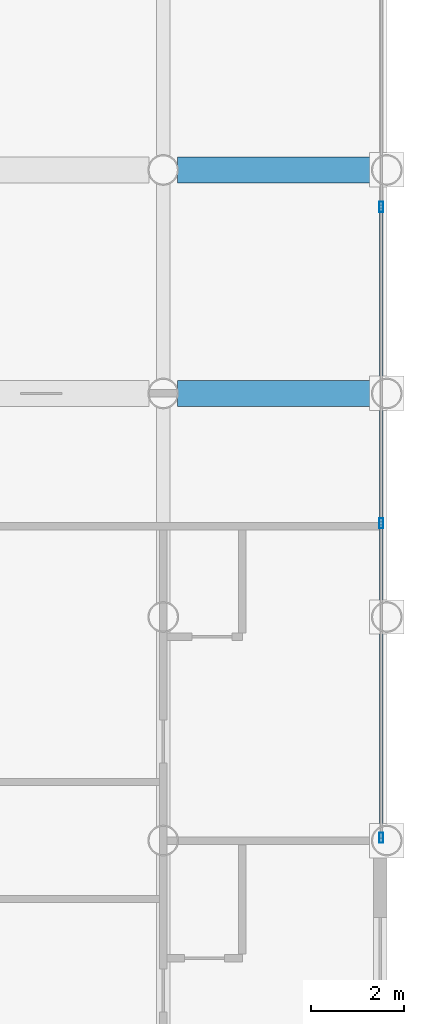
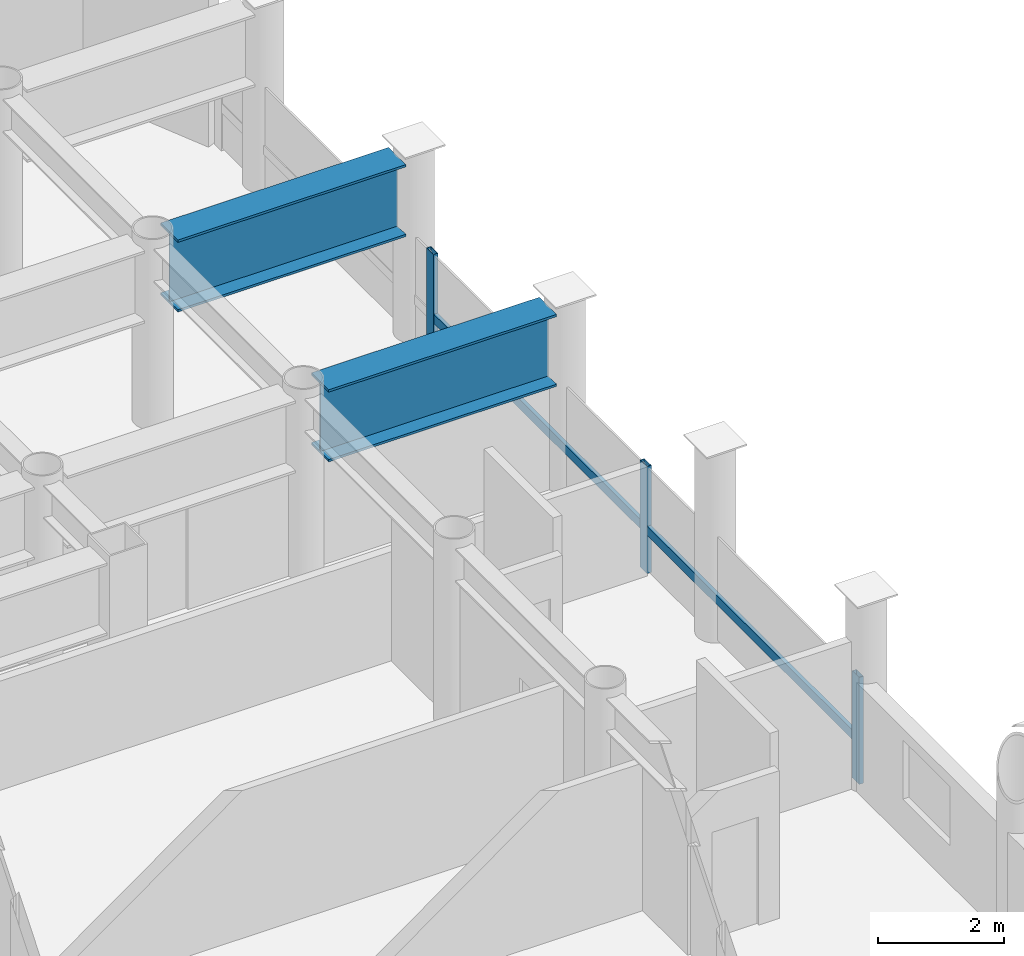
# One storey, part 14 of 23: 5 members, 2 beams, 1 element without a shape of its own.
"""IFC4 building model written with IfcOpenShell, lengths in metres."""

from ifc_helpers import new_model, si_unit, direction, frame, origin, origin_2d, place, context, subcontext, project, spatial, hollow_rectangle, i_section, extrude, material, layer, layer_set, material_profile, profile_set, type_object, element, aggregate, save


model = new_model("IFC4")

# Units and contexts
model_context = context("Model", 3, precision=1e-05, world=origin(), true_north=direction((0.0, 1.0)))
body_context = subcontext(model_context, "Body", "Model", "MODEL_VIEW")
ifc_project = project(units=[si_unit("LENGTHUNIT", "METRE"), si_unit("AREAUNIT", "SQUARE_METRE"), si_unit("VOLUMEUNIT", "CUBIC_METRE"), si_unit("PLANEANGLEUNIT", "RADIAN"), si_unit("MASSUNIT", "GRAM", prefix="KILO")], contexts=[model_context])

# Site, building, storey
site_placement = place(None, origin())
site = spatial("IfcSite", under=ifc_project, at=site_placement, CompositionType="ELEMENT")
building_placement = place(site_placement, origin())
building = spatial("IfcBuilding", under=site, at=building_placement, Name="Kallvorn Hotel Tower", CompositionType="ELEMENT")
storey_placement = place(building_placement, frame((0.0, 0.0, 121.10009765625)))
storey = spatial("IfcBuildingStorey", under=building, at=storey_placement, Name="L29", CompositionType="ELEMENT", Elevation=121.10009765625)

# Beams
ifc_material_1 = material(Name="Structural steel S355JR", Category="steel")
ifc_material_profile_1 = material_profile(ifc_material_1, i_section(OverallWidth=0.550048828125, OverallDepth=1.39990234375, WebThickness=0.02490234375, FlangeThickness=0.044921875, at=origin_2d()), Name="PG 1400x550x25x45")
ifc_profile_set_1 = profile_set([ifc_material_profile_1], Name="Structural steel S355JR")
beam_type = type_object("IfcBeamType", Name="BM_PG_1400", PredefinedType="BEAM", material=ifc_profile_set_1)
for number, where, z_axis, x_axis, name in (
    (1, (29.10498046875, 9.60009765625, 2.81982421875), (1.0, 0.0, 0.0), (0.0, 1.0, 0.0), "L30 Primary X-Girder 58"),
    (2, (29.10498046875, 14.39990234375, 2.81982421875), (1.0, 0.0, 0.0), (0.0, 1.0, 0.0), "L30 Primary X-Girder 68"),
):
    element("IfcBeam", number, at=place(storey_placement, frame(where, z_axis=z_axis, x_axis=x_axis)), inside=storey, type_object=beam_type, Name=name, PredefinedType="BEAM", context=body_context, shape_type="SweptSolid", body=[
        extrude(i_section(OverallWidth=0.550048828125, OverallDepth=1.39990234375, WebThickness=0.02490234375, FlangeThickness=0.044921875, at=origin_2d()), origin(), (0.0, 0.0, 1.0), 4.18994140625),
    ])

# Curtain wall, members
ifc_material_2 = material(Name="Thermally broken black-anodised aluminium AA 6063-T6", Category="aluminium")
ifc_layer = layer(ifc_material_2, 0.199951171875)
ifc_layer_set = layer_set([ifc_layer], Name="CW_SYS_3_HOTEL_LOW")
curtain_wall_type = type_object("IfcCurtainWallType", Name="CW_SYS_3_HOTEL_LOW", PredefinedType="USERDEFINED", material=ifc_layer_set)
curtain_wall_placement = place(storey_placement, origin())
curtain_wall = element("IfcCurtainWall", 3, at=curtain_wall_placement, inside=storey, type_object=curtain_wall_type, Name="L29 Dark-Glass Curtain Wall CW-L29-EN", ObjectType="UNITISED CURTAIN WALL", PredefinedType="USERDEFINED")
ifc_material_3 = material(Name="Thermally broken black-anodised aluminium AA 6063-T6", Category="aluminium")
ifc_material_profile_2 = material_profile(ifc_material_3, hollow_rectangle(XDim=0.080078125, YDim=0.219970703125, WallThickness=0.0048828125, at=origin_2d()), Name="MUL 220x80")
ifc_profile_set_2 = profile_set([ifc_material_profile_2], Name="Thermally broken black-anodised aluminium AA 6063-T6")
member_type_1 = type_object("IfcMemberType", Name="CW_MULLION_220x80", PredefinedType="MULLION", material=ifc_profile_set_2)
member_1_placement = place(storey_placement, frame((33.47998046875, 0.06005859375, 0.02001953125), z_axis=(0.0, 0.0, 1.0), x_axis=(1.0, 0.0, 0.0)))
member_1 = element("IfcMember", 4, at=member_1_placement, type_object=member_type_1, Name="CW-L29-EN Mullion 00", PredefinedType="MULLION", context=body_context, shape_type="SweptSolid", body=[
    extrude(hollow_rectangle(XDim=0.080078125, YDim=0.219970703125, WallThickness=0.0048828125, at=origin_2d()), origin(), (0.0, 0.0, 1.0), 2.079833984375),
])
member_2_placement = place(storey_placement, frame((33.47998046875, 6.813232421875, 0.02001953125), z_axis=(0.0, 0.0, 1.0), x_axis=(1.0, 0.0, 0.0)))
member_2 = element("IfcMember", 5, at=member_2_placement, type_object=member_type_1, Name="CW-L29-EN Mullion 01", PredefinedType="MULLION", context=body_context, shape_type="SweptSolid", body=[
    extrude(hollow_rectangle(XDim=0.080078125, YDim=0.219970703125, WallThickness=0.0048828125, at=origin_2d()), origin(), (0.0, 0.0, 1.0), 2.079833984375),
])
member_3_placement = place(storey_placement, frame((33.47998046875, 13.606689453125, 0.02001953125), z_axis=(0.0, 0.0, 1.0), x_axis=(1.0, 0.0, 0.0)))
member_3 = element("IfcMember", 6, at=member_3_placement, type_object=member_type_1, Name="CW-L29-EN Mullion 02", PredefinedType="MULLION", context=body_context, shape_type="SweptSolid", body=[
    extrude(hollow_rectangle(XDim=0.080078125, YDim=0.219970703125, WallThickness=0.0048828125, at=origin_2d()), origin(), (0.0, 0.0, 1.0), 2.079833984375),
])
ifc_material_4 = material(Name="Thermally broken black-anodised aluminium AA 6063-T6", Category="aluminium")
ifc_material_profile_3 = material_profile(ifc_material_4, hollow_rectangle(XDim=0.070068359375, YDim=0.179931640625, WallThickness=0.00390625, at=origin_2d()), Name="TRN 180x70")
ifc_profile_set_3 = profile_set([ifc_material_profile_3], Name="Thermally broken black-anodised aluminium AA 6063-T6")
member_type_2 = type_object("IfcMemberType", Name="CW_TRANSOM_180x70", PredefinedType="USERDEFINED", material=ifc_profile_set_3)
member_4_placement = place(storey_placement, frame((33.47998046875, 0.06005859375, 0.849853515625), z_axis=(0.0, 1.0, 0.0), x_axis=(-1.0, 0.0, 0.0)))
member_4 = element("IfcMember", 7, at=member_4_placement, type_object=member_type_2, Name="CW-L29-EN Transom 00M", ObjectType="TRANSOM", PredefinedType="USERDEFINED", context=body_context, shape_type="SweptSolid", body=[
    extrude(hollow_rectangle(XDim=0.070068359375, YDim=0.179931640625, WallThickness=0.00390625, at=origin_2d()), origin(), (0.0, 0.0, 1.0), 6.713134765625),
])
member_5_placement = place(storey_placement, frame((33.47998046875, 6.853271484375, 0.849853515625), z_axis=(0.0, 1.0, 0.0), x_axis=(-1.0, 0.0, 0.0)))
member_5 = element("IfcMember", 8, at=member_5_placement, type_object=member_type_2, Name="CW-L29-EN Transom 01M", ObjectType="TRANSOM", PredefinedType="USERDEFINED", context=body_context, shape_type="SweptSolid", body=[
    extrude(hollow_rectangle(XDim=0.070068359375, YDim=0.179931640625, WallThickness=0.00390625, at=origin_2d()), origin(), (0.0, 0.0, 1.0), 6.71337890625),
])
aggregate(curtain_wall, [member_1, member_2, member_3, member_4, member_5])

save(model, "model.ifc")
